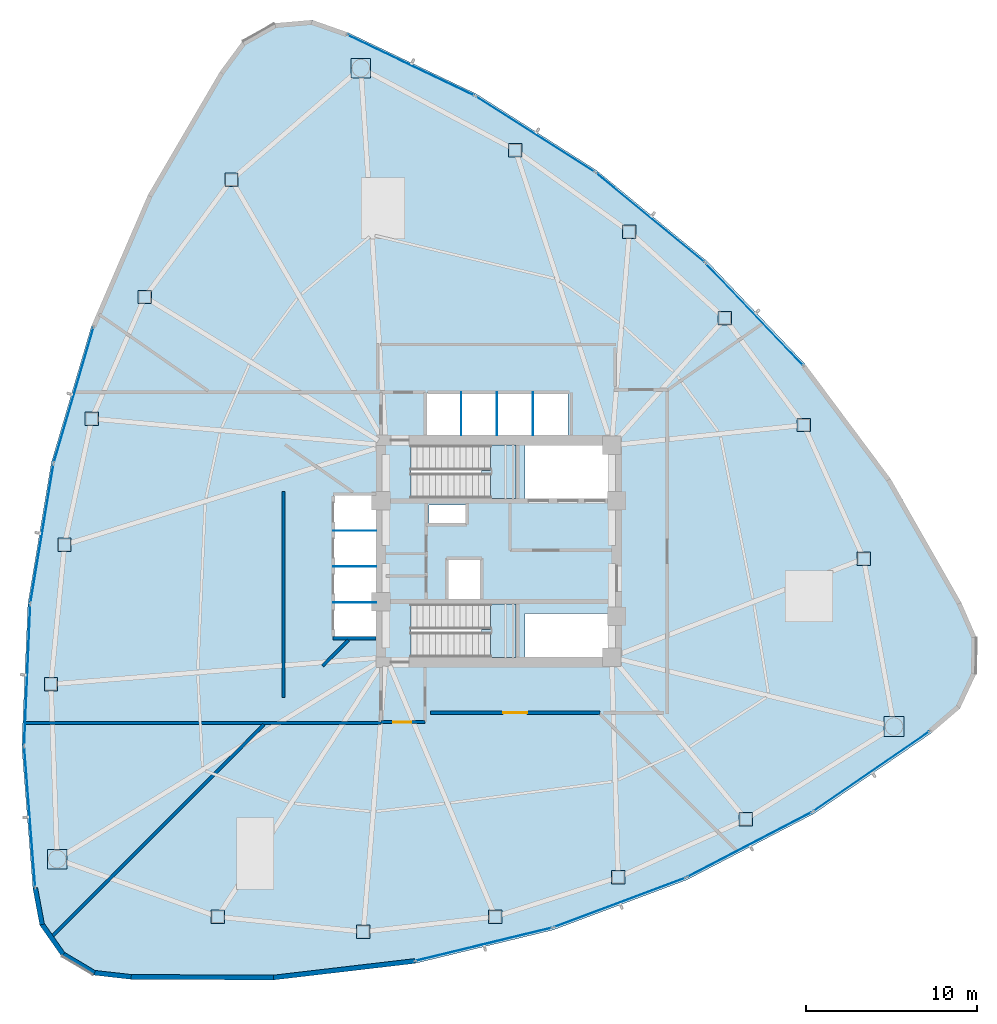
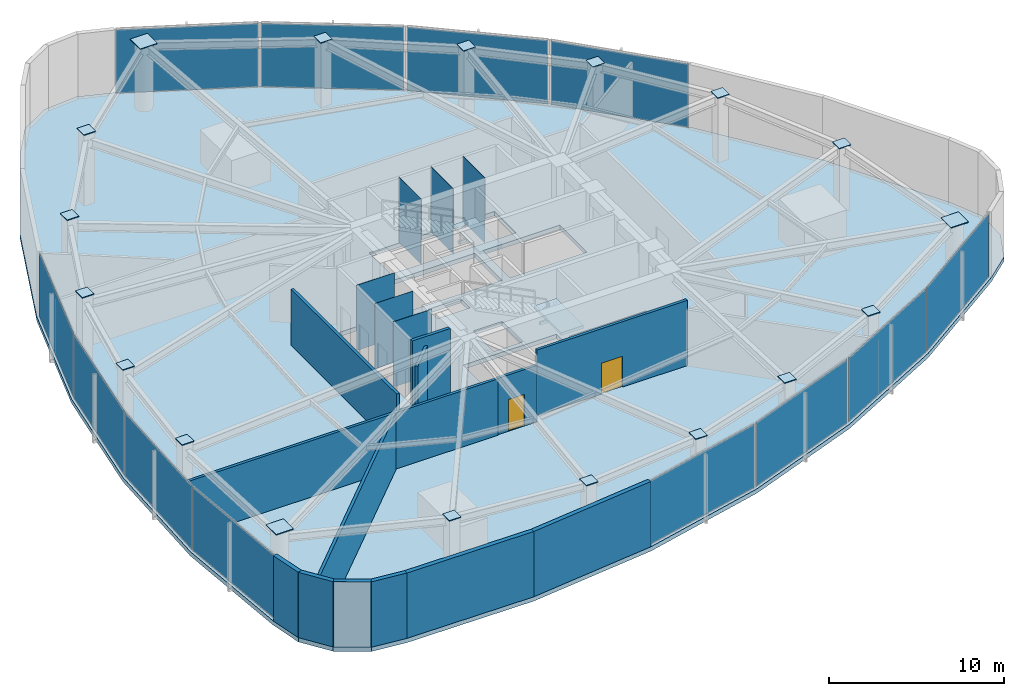
# One storey, part 10 of 16: 36 plates, 13 walls, 3 slabs, 2 doors, 2 openings, 14 elements without a shape of their own.
"""IFC4 building model written with IfcOpenShell, lengths in metres."""

from ifc_helpers import new_model, si_unit, direction, frame, frame_2d, origin, origin_2d, place, context, subcontext, project, spatial, polyline, rectangle, outline, extrude, source, transform, mapped, material, layer, layer_set, type_object, type_shapes, element, fill, aggregate, save


model = new_model("IFC4")

# Units and contexts
model_context = context("Model", 3, precision=1e-05, world=origin(), true_north=direction((0.0, 1.0)))
body_context = subcontext(model_context, "Body", "Model", "MODEL_VIEW")
ifc_project = project(units=[si_unit("LENGTHUNIT", "METRE"), si_unit("AREAUNIT", "SQUARE_METRE"), si_unit("VOLUMEUNIT", "CUBIC_METRE"), si_unit("PLANEANGLEUNIT", "RADIAN"), si_unit("MASSUNIT", "GRAM", prefix="KILO")], contexts=[model_context])

# Site, building, storey
site_placement = place(None, origin())
site = spatial("IfcSite", under=ifc_project, at=site_placement, CompositionType="ELEMENT")
building_placement = place(site_placement, origin())
building = spatial("IfcBuilding", under=site, at=building_placement, Name="Tavelor Broadcast Tower", CompositionType="ELEMENT")
storey_placement = place(building_placement, frame((0.0, 0.0, 97.800048828125)))
storey = spatial("IfcBuildingStorey", under=building, at=storey_placement, Name="L23", CompositionType="ELEMENT", Elevation=97.800048828125)

# Stair, slab
ifc_material_1 = material(Name="Concrete C40/50", Category="concrete")
stair_type = type_object("IfcStairType", Name="Reinforced Concrete Protected Dogleg Stair 1450 mm", PredefinedType="HALF_TURN_STAIR", material=ifc_material_1)
stair_1_placement = place(storey_placement, origin())
stair_1 = element("IfcStair", 1, at=stair_1_placement, inside=storey, type_object=stair_type, Name="L23 Protected Core Exit Stair ST1", PredefinedType="HALF_TURN_STAIR")
ifc_layer_1 = layer(ifc_material_1, 0.199951171875)
ifc_layer_set_1 = layer_set([ifc_layer_1], Name="Concrete C40/50")
slab_type_1 = type_object("IfcSlabType", Name="Reinforced Concrete Stair Half-Landing Slab 200 mm", PredefinedType="LANDING", material=ifc_layer_set_1)
slab_1_placement = place(storey_placement, frame((0.0, 0.0, 2.300048828125)))
slab_1 = element("IfcSlab", 2, at=slab_1_placement, type_object=slab_type_1, Name="ST1 landing 1", PredefinedType="LANDING", context=body_context, shape_type="SweptSolid", body=[
    extrude(outline(polyline([(49.52490234375, 49.590087890625), (49.52490234375, 48.094970703125), (51.0048828125, 48.094970703125), (51.0048828125, 51.205078125), (49.52490234375, 51.205078125), (49.52490234375, 49.7099609375), (48.985107421875, 49.7099609375), (48.985107421875, 49.590087890625), (49.52490234375, 49.590087890625)])), origin(), (0.0, 0.0, 1.0), 0.199951171875),
])
aggregate(stair_1, [slab_1])

stair_2_placement = place(storey_placement, origin())
stair_2 = element("IfcStair", 3, at=stair_2_placement, inside=storey, type_object=stair_type, Name="L23 Protected Core Exit Stair ST2", PredefinedType="HALF_TURN_STAIR")
slab_2_placement = place(storey_placement, frame((0.0, 0.0, 2.300048828125)))
slab_2 = element("IfcSlab", 4, at=slab_2_placement, type_object=slab_type_1, Name="ST2 landing 1", PredefinedType="LANDING", context=body_context, shape_type="SweptSolid", body=[
    extrude(outline(polyline([(49.52490234375, 40.2900390625), (49.52490234375, 38.794921875), (51.0048828125, 38.794921875), (51.0048828125, 41.905029296875), (49.52490234375, 41.905029296875), (49.52490234375, 40.409912109375), (48.985107421875, 40.409912109375), (48.985107421875, 40.2900390625), (49.52490234375, 40.2900390625)])), origin(), (0.0, 0.0, 1.0), 0.199951171875),
])
aggregate(stair_2, [slab_2])

# Slab
ifc_layer_2 = layer(ifc_material_1, 0.300048828125)
ifc_layer_set_2 = layer_set([ifc_layer_2], Name="Concrete C40/50")
slab_type_2 = type_object("IfcSlabType", Name="Tower Composite Floor Slab 300 mm", PredefinedType="FLOOR", material=ifc_layer_set_2)
slab_3_placement = place(storey_placement, frame((0.0, 0.0, -0.300048828125)))
element("IfcSlab", 5, at=slab_3_placement, inside=storey, type_object=slab_type_2, Name="L23 Structural Floor Slab", PredefinedType="FLOOR", context=body_context, shape_type="SweptSolid", body=[
    extrude(outline(polyline([(41.15087890625, 75.352783203125), (39.081787109375, 76.079345703125), (36.89697265625, 75.89013671875), (34.983642578125, 74.818603515625), (33.680908203125, 73.0546875), (29.472412109375, 65.84619140625), (26.16748046875, 58.181396484375), (23.814208984375, 50.1728515625), (22.447265625, 41.9384765625), (22.0869140625, 33.599365234375), (22.73828125, 25.277587890625), (23.143798828125, 23.12255859375), (24.39990234375, 21.3251953125), (26.28466796875, 20.203857421875), (28.463623046875, 19.95751953125), (36.810546875, 19.917236328125), (45.10107421875, 20.887451171875), (53.213134765625, 22.853515625), (61.027587890625, 25.787109375), (68.429931640625, 29.64453125), (75.310791015625, 34.36962890625), (76.974609375, 35.798095703125), (77.903076171875, 37.784912109375), (77.931884765625, 39.9775390625), (77.0556640625, 41.98779296875), (72.9169921875, 49.23681640625), (67.931640625, 55.931396484375), (62.1728515625, 61.973388671875), (55.72509765625, 67.2744140625), (48.68310546875, 71.756103515625), (41.15087890625, 75.352783203125)]), holes=[polyline([(56.60009765625, 38.800048828125), (51.52001953125, 38.800048828125), (51.52001953125, 41.35009765625), (56.60009765625, 41.35009765625), (56.60009765625, 38.800048828125)]), polyline([(50.99609375, 38.803955078125), (44.85400390625, 38.803955078125), (44.85400390625, 41.89599609375), (50.99609375, 41.89599609375), (50.99609375, 38.803955078125)]), polyline([(47.050048828125, 42.199951171875), (47.050048828125, 44.550048828125), (48.949951171875, 44.550048828125), (48.949951171875, 42.199951171875), (47.050048828125, 42.199951171875)]), polyline([(40.35009765625, 40.0), (40.35009765625, 48.25), (42.800048828125, 48.25), (42.800048828125, 40.0), (40.35009765625, 40.0)]), polyline([(48.050048828125, 46.64990234375), (45.89990234375, 46.64990234375), (45.89990234375, 47.699951171875), (48.050048828125, 47.699951171875), (48.050048828125, 46.64990234375)]), polyline([(50.99609375, 48.10400390625), (44.85400390625, 48.10400390625), (44.85400390625, 51.196044921875), (50.99609375, 51.196044921875), (50.99609375, 48.10400390625)]), polyline([(56.60009765625, 48.10009765625), (51.52001953125, 48.10009765625), (51.52001953125, 51.199951171875), (56.60009765625, 51.199951171875), (56.60009765625, 48.10009765625)]), polyline([(54.050048828125, 51.800048828125), (45.800048828125, 51.800048828125), (45.800048828125, 54.25), (54.050048828125, 54.25), (54.050048828125, 51.800048828125)])]), origin(), (0.0, 0.0, 1.0), 0.300048828125),
])

# Plates
ifc_material_2 = material(Name="Steel S460", Category="steel")
ifc_layer_3 = layer(ifc_material_2, 0.050048828125)
ifc_layer_set_3 = layer_set([ifc_layer_3], Name="Steel S460")
plate_type_1 = type_object("IfcPlateType", Name="Tube Hollow-End Cap Plate KN05 700x700x50", PredefinedType="USERDEFINED", material=ifc_layer_set_3)
shared_shape_1 = source(origin(), body_context, "Body", "SweptSolid", [
    extrude(rectangle(XDim=1.14697265625, YDim=1.14697265625, at=origin_2d()), origin(), (0.0, 0.0, 1.0), 0.054931640625),
])
for number, where, z_axis, x_axis, name in (
    (6, (41.923095703125, 73.266357421875, 4.5224609375), (0.0, 0.0, 1.0), (1.0, 0.0, 0.0), "L23 Hollow End Cap Plate KN05 #652"),
    (7, (24.1591796875, 26.98974609375, 4.97265625), (0.0, 0.0, 1.0), (1.0, 0.0, 0.0), "L23 Hollow End Cap Plate KN05 #658"),
    (8, (73.117919921875, 34.743896484375, 4.5224609375), (0.0, 0.0, 1.0), (1.0, 0.0, 0.0), "L23 Hollow End Cap Plate KN05 #664"),
):
    element("IfcPlate", number, at=place(storey_placement, frame(where, z_axis=z_axis, x_axis=x_axis)), inside=storey, type_object=plate_type_1, Name=name, ObjectType="CAP PLATE", PredefinedType="USERDEFINED", context=body_context, shape_type="MappedRepresentation", body=[
        mapped(shared_shape_1, transform((0.0, 0.0, 0.0), scale=1.0)),
    ])
shared_shape_2 = source(origin(), body_context, "Body", "SweptSolid", [
    extrude(rectangle(XDim=0.780029296875, YDim=0.780029296875, at=origin_2d()), origin(), (0.0, 0.0, 1.0), 0.054931640625),
])
type_shapes(plate_type_1, [shared_shape_1, shared_shape_2])
for number, where, z_axis, x_axis, name in (
    (9, (34.356201171875, 66.727783203125, 4.97265625), (0.0, 0.0, 1.0), (1.0, 0.0, 0.0), "L23 Hollow End Cap Plate KN05 #653"),
    (10, (29.292236328125, 59.87158203125, 4.97265625), (0.0, 0.0, 1.0), (1.0, 0.0, 0.0), "L23 Hollow End Cap Plate KN05 #654"),
    (11, (26.189208984375, 52.75830078125, 4.97265625), (0.0, 0.0, 1.0), (1.0, 0.0, 0.0), "L23 Hollow End Cap Plate KN05 #655"),
    (12, (24.58984375, 45.380615234375, 4.97265625), (0.0, 0.0, 1.0), (1.0, 0.0, 0.0), "L23 Hollow End Cap Plate KN05 #656"),
    (13, (23.794677734375, 37.21630859375, 4.97265625), (0.0, 0.0, 1.0), (1.0, 0.0, 0.0), "L23 Hollow End Cap Plate KN05 #657"),
    (14, (33.55078125, 23.615478515625, 4.5224609375), (0.0, 0.0, 1.0), (1.0, 0.0, 0.0), "L23 Hollow End Cap Plate KN05 #659"),
    (15, (42.0732421875, 22.740478515625, 4.5224609375), (0.0, 0.0, 1.0), (1.0, 0.0, 0.0), "L23 Hollow End Cap Plate KN05 #660"),
    (16, (49.78662109375, 23.617919921875, 4.5224609375), (0.0, 0.0, 1.0), (1.0, 0.0, 0.0), "L23 Hollow End Cap Plate KN05 #661"),
    (17, (56.975341796875, 25.92138671875, 4.5224609375), (0.0, 0.0, 1.0), (1.0, 0.0, 0.0), "L23 Hollow End Cap Plate KN05 #662"),
    (18, (64.443603515625, 29.31494140625, 4.5224609375), (0.0, 0.0, 1.0), (1.0, 0.0, 0.0), "L23 Hollow End Cap Plate KN05 #663"),
    (19, (71.343994140625, 44.564697265625, 4.5224609375), (0.0, 0.0, 1.0), (1.0, 0.0, 0.0), "L23 Hollow End Cap Plate KN05 #665"),
    (20, (67.8408203125, 52.382568359375, 4.5224609375), (0.0, 0.0, 1.0), (1.0, 0.0, 0.0), "L23 Hollow End Cap Plate KN05 #666"),
    (21, (63.22412109375, 58.623779296875, 4.5224609375), (0.0, 0.0, 1.0), (1.0, 0.0, 0.0), "L23 Hollow End Cap Plate KN05 #667"),
    (22, (57.634765625, 63.69775390625, 4.5224609375), (0.0, 0.0, 1.0), (1.0, 0.0, 0.0), "L23 Hollow End Cap Plate KN05 #668"),
    (23, (50.9619140625, 68.468505859375, 4.5224609375), (0.0, 0.0, 1.0), (1.0, 0.0, 0.0), "L23 Hollow End Cap Plate KN05 #669"),
):
    element("IfcPlate", number, at=place(storey_placement, frame(where, z_axis=z_axis, x_axis=x_axis)), inside=storey, type_object=plate_type_1, Name=name, ObjectType="CAP PLATE", PredefinedType="USERDEFINED", context=body_context, shape_type="MappedRepresentation", body=[
        mapped(shared_shape_2, transform((0.0, 0.0, 0.0), scale=1.0)),
    ])
ifc_material_3 = material(Name="Steel S355", Category="steel")
ifc_layer_4 = layer(ifc_material_3, 0.011962890625)
ifc_layer_set_4 = layer_set([ifc_layer_4], Name="Steel S355")
plate_type_2 = type_object("IfcPlateType", Name="Hoistway Steel Separator Screen 12 mm", PredefinedType="SHEET", material=ifc_layer_set_4)
shared_shape_3 = source(origin(), body_context, "Body", "SweptSolid", [
    extrude(rectangle(XDim=2.52001953125, YDim=0.02001953125, at=origin_2d()), origin(), (0.0, 0.0, 1.0), 4.550048828125),
])
for number, where, z_axis, x_axis, name in (
    (24, (41.56005859375, 42.0, 0.0), (0.0, 0.0, 1.0), (1.0, 0.0, 0.0), "L23 Low-Rise Hoistway Separator Screen 1"),
    (25, (41.56005859375, 44.10009765625, 0.0), (0.0, 0.0, 1.0), (1.0, 0.0, 0.0), "L23 Low-Rise Hoistway Separator Screen 2"),
    (26, (41.56005859375, 46.199951171875, 0.0), (0.0, 0.0, 1.0), (1.0, 0.0, 0.0), "L23 Low-Rise Hoistway Separator Screen 3"),
):
    element("IfcPlate", number, at=place(storey_placement, frame(where, z_axis=z_axis, x_axis=x_axis)), inside=storey, type_object=plate_type_2, Name=name, PredefinedType="SHEET", context=body_context, shape_type="MappedRepresentation", body=[
        mapped(shared_shape_3, transform((0.0, 0.0, 0.0), scale=1.0)),
    ])
shared_shape_4 = source(origin(), body_context, "Body", "SweptSolid", [
    extrude(rectangle(XDim=0.02001953125, YDim=2.52001953125, at=origin_2d()), origin(), (0.0, 0.0, 1.0), 4.550048828125),
])
type_shapes(plate_type_2, [shared_shape_3, shared_shape_4])
for number, where, z_axis, x_axis, name in (
    (27, (47.800048828125, 53.0400390625, 0.0), (0.0, 0.0, 1.0), (1.0, 0.0, 0.0), "L23 High-Rise Hoistway Separator Screen 1"),
    (28, (49.89990234375, 53.0400390625, 0.0), (0.0, 0.0, 1.0), (1.0, 0.0, 0.0), "L23 High-Rise Hoistway Separator Screen 2"),
    (29, (52.0, 53.0400390625, 0.0), (0.0, 0.0, 1.0), (1.0, 0.0, 0.0), "L23 High-Rise Hoistway Separator Screen 3"),
):
    element("IfcPlate", number, at=place(storey_placement, frame(where, z_axis=z_axis, x_axis=x_axis)), inside=storey, type_object=plate_type_2, Name=name, PredefinedType="SHEET", context=body_context, shape_type="MappedRepresentation", body=[
        mapped(shared_shape_4, transform((0.0, 0.0, 0.0), scale=1.0)),
    ])

# Curtain wall, plate
ifc_material_4 = material(Name="Architectural Anodized Aluminium", Category="aluminium")
ifc_layer_5 = layer(ifc_material_4, 0.179931640625)
ifc_layer_set_5 = layer_set([ifc_layer_5], Name="Architectural Anodized Aluminium")
curtain_wall_type = type_object("IfcCurtainWallType", Name="Tower Low-Zone Unitised Curtain Wall CW02", PredefinedType="NOTDEFINED", material=ifc_layer_set_5)
curtain_wall_1_placement = place(storey_placement, origin())
curtain_wall_1 = element("IfcCurtainWall", 30, at=curtain_wall_1_placement, inside=storey, type_object=curtain_wall_type, Name="L23 Curtain Wall CW02 Run 229", PredefinedType="NOTDEFINED")
ifc_material_5 = material(Name="Acoustic Double Glazing 28 mm", Category="glass")
ifc_layer_6 = layer(ifc_material_5, 0.028076171875)
ifc_layer_set_6 = layer_set([ifc_layer_6], Name="Acoustic Double Glazing 28 mm")
plate_type_3 = type_object("IfcPlateType", Name="CW02 Insulated Vision Glazing Panel 28 mm", PredefinedType="CURTAIN_PANEL", material=ifc_layer_set_6)
shared_shape_5 = source(origin(), body_context, "Body", "SweptSolid", [
    extrude(rectangle(XDim=8.18505859375, YDim=0.028076171875, at=origin_2d()), origin(), (0.0, 0.0, 1.0), 4.419921875),
])
plate_1_placement = place(storey_placement, frame((25.127197265625, 54.144775390625, 0.06494140625), z_axis=(0.0, 0.0, 1.0), x_axis=(-0.281935821858, -0.959433266232, 0.0)))
plate_1 = element("IfcPlate", 31, at=plate_1_placement, type_object=plate_type_3, Name="CW02 panel 1.1", PredefinedType="CURTAIN_PANEL", context=body_context, shape_type="MappedRepresentation", body=[
    mapped(shared_shape_5, transform((0.0, 0.0, 0.0), scale=1.0)),
])
aggregate(curtain_wall_1, [plate_1])

curtain_wall_2_placement = place(storey_placement, origin())
curtain_wall_2 = element("IfcCurtainWall", 32, at=curtain_wall_2_placement, inside=storey, type_object=curtain_wall_type, Name="L23 Curtain Wall CW02 Run 233", PredefinedType="NOTDEFINED")
plate_2_placement = place(storey_placement, frame((49.11669921875, 22.0048828125, 0.06494140625), z_axis=(0.0, 0.0, 1.0), x_axis=(0.971861953645, 0.235551147434, 0.0)))
plate_2 = element("IfcPlate", 33, at=plate_2_placement, type_object=plate_type_3, Name="CW02 panel 1.1", PredefinedType="CURTAIN_PANEL", context=body_context, shape_type="MappedRepresentation", body=[
    mapped(shared_shape_5, transform((0.0, 0.0, 0.0), scale=1.0)),
])
aggregate(curtain_wall_2, [plate_2])

curtain_wall_3_placement = place(storey_placement, origin())
curtain_wall_3 = element("IfcCurtainWall", 34, at=curtain_wall_3_placement, inside=storey, type_object=curtain_wall_type, Name="L23 Curtain Wall CW02 Run 237", PredefinedType="NOTDEFINED")
plate_3_placement = place(storey_placement, frame((64.9560546875, 58.850341796875, 0.06494140625), z_axis=(0.0, 0.0, 1.0), x_axis=(-0.689933803386, 0.723872465939, 0.0)))
plate_3 = element("IfcPlate", 35, at=plate_3_placement, type_object=plate_type_3, Name="CW02 panel 1.1", PredefinedType="CURTAIN_PANEL", context=body_context, shape_type="MappedRepresentation", body=[
    mapped(shared_shape_5, transform((0.0, 0.0, 0.0), scale=1.0)),
])
aggregate(curtain_wall_3, [plate_3])

curtain_wall_4_placement = place(storey_placement, origin())
curtain_wall_4 = element("IfcCurtainWall", 36, at=curtain_wall_4_placement, inside=storey, type_object=curtain_wall_type, Name="L23 Curtain Wall CW02 Run 230", PredefinedType="NOTDEFINED")
shared_shape_6 = source(origin(), body_context, "Body", "SweptSolid", [
    extrude(rectangle(XDim=8.169921875, YDim=0.028076171875, at=origin_2d()), origin(), (0.0, 0.0, 1.0), 4.419921875),
])
plate_4_placement = place(storey_placement, frame((23.268798828125, 46.03271484375, 0.06494140625), z_axis=(0.0, 0.0, 1.0), x_axis=(-0.163746397518, -0.986502466951, 0.0)))
plate_4 = element("IfcPlate", 37, at=plate_4_placement, type_object=plate_type_3, Name="CW02 panel 1.1", PredefinedType="CURTAIN_PANEL", context=body_context, shape_type="MappedRepresentation", body=[
    mapped(shared_shape_6, transform((0.0, 0.0, 0.0), scale=1.0)),
])
aggregate(curtain_wall_4, [plate_4])

curtain_wall_5_placement = place(storey_placement, origin())
curtain_wall_5 = element("IfcCurtainWall", 38, at=curtain_wall_5_placement, inside=storey, type_object=curtain_wall_type, Name="L23 Curtain Wall CW02 Run 231", PredefinedType="NOTDEFINED")
plate_5_placement = place(storey_placement, frame((22.406982421875, 37.762939453125, 0.06494140625), z_axis=(0.0, 0.0, 1.0), x_axis=(-0.043180506691, -0.999067286944, 0.0)))
plate_5 = element("IfcPlate", 39, at=plate_5_placement, type_object=plate_type_3, Name="CW02 panel 1.1", PredefinedType="CURTAIN_PANEL", context=body_context, shape_type="MappedRepresentation", body=[
    mapped(shared_shape_6, transform((0.0, 0.0, 0.0), scale=1.0)),
])
aggregate(curtain_wall_5, [plate_5])

curtain_wall_6_placement = place(storey_placement, origin())
curtain_wall_6 = element("IfcCurtainWall", 40, at=curtain_wall_6_placement, inside=storey, type_object=curtain_wall_type, Name="L23 Curtain Wall CW02 Run 239", PredefinedType="NOTDEFINED")
plate_6_placement = place(storey_placement, frame((52.12890625, 69.397216796875, 0.06494140625), z_axis=(0.0, 0.0, 1.0), x_axis=(-0.843627751075, 0.536928503263, 0.0)))
plate_6 = element("IfcPlate", 41, at=plate_6_placement, type_object=plate_type_3, Name="CW02 panel 1.1", PredefinedType="CURTAIN_PANEL", context=body_context, shape_type="MappedRepresentation", body=[
    mapped(shared_shape_6, transform((0.0, 0.0, 0.0), scale=1.0)),
])
aggregate(curtain_wall_6, [plate_6])

curtain_wall_7_placement = place(storey_placement, origin())
curtain_wall_7 = element("IfcCurtainWall", 42, at=curtain_wall_7_placement, inside=storey, type_object=curtain_wall_type, Name="L23 Curtain Wall CW02 Run 232", PredefinedType="NOTDEFINED")
shared_shape_7 = source(origin(), body_context, "Body", "SweptSolid", [
    extrude(rectangle(XDim=8.18603515625, YDim=0.028076171875, at=origin_2d()), origin(), (0.0, 0.0, 1.0), 4.419921875),
])
plate_7_placement = place(storey_placement, frame((22.552734375, 29.44140625, 0.06494140625), z_axis=(0.0, 0.0, 1.0), x_axis=(0.07805462215, -0.996949083936, 0.0)))
plate_7 = element("IfcPlate", 43, at=plate_7_placement, type_object=plate_type_3, Name="CW02 panel 1.1", PredefinedType="CURTAIN_PANEL", context=body_context, shape_type="MappedRepresentation", body=[
    mapped(shared_shape_7, transform((0.0, 0.0, 0.0), scale=1.0)),
])
aggregate(curtain_wall_7, [plate_7])

curtain_wall_8_placement = place(storey_placement, origin())
curtain_wall_8 = element("IfcCurtainWall", 44, at=curtain_wall_8_placement, inside=storey, type_object=curtain_wall_type, Name="L23 Curtain Wall CW02 Run 236", PredefinedType="NOTDEFINED")
plate_8_placement = place(storey_placement, frame((71.797607421875, 32.126953125, 0.06494140625), z_axis=(0.0, 0.0, 1.0), x_axis=(0.824357224308, 0.566069930955, 0.0)))
plate_8 = element("IfcPlate", 45, at=plate_8_placement, type_object=plate_type_3, Name="CW02 panel 1.1", PredefinedType="CURTAIN_PANEL", context=body_context, shape_type="MappedRepresentation", body=[
    mapped(shared_shape_7, transform((0.0, 0.0, 0.0), scale=1.0)),
])
aggregate(curtain_wall_8, [plate_8])

curtain_wall_9_placement = place(storey_placement, origin())
curtain_wall_9 = element("IfcCurtainWall", 46, at=curtain_wall_9_placement, inside=storey, type_object=curtain_wall_type, Name="L23 Curtain Wall CW02 Run 240", PredefinedType="NOTDEFINED")
plate_9_placement = place(storey_placement, frame((44.849609375, 73.431396484375, 0.06494140625), z_axis=(0.0, 0.0, 1.0), x_axis=(-0.902408358594, 0.430881833384, 0.0)))
plate_9 = element("IfcPlate", 47, at=plate_9_placement, type_object=plate_type_3, Name="CW02 panel 1.1", PredefinedType="CURTAIN_PANEL", context=body_context, shape_type="MappedRepresentation", body=[
    mapped(shared_shape_7, transform((0.0, 0.0, 0.0), scale=1.0)),
])
aggregate(curtain_wall_9, [plate_9])

curtain_wall_10_placement = place(storey_placement, origin())
curtain_wall_10 = element("IfcCurtainWall", 48, at=curtain_wall_10_placement, inside=storey, type_object=curtain_wall_type, Name="L23 Curtain Wall CW02 Run 234", PredefinedType="NOTDEFINED")
shared_shape_8 = source(origin(), body_context, "Body", "SweptSolid", [
    extrude(rectangle(XDim=8.170166015625, YDim=0.028076171875, at=origin_2d()), origin(), (0.0, 0.0, 1.0), 4.419921875),
])
type_shapes(plate_type_3, [shared_shape_5, shared_shape_6, shared_shape_7, shared_shape_8])
plate_10_placement = place(storey_placement, frame((57.0712890625, 24.451416015625, 0.06494140625), z_axis=(0.0, 0.0, 1.0), x_axis=(0.936209302266, 0.351442943235, 0.0)))
plate_10 = element("IfcPlate", 49, at=plate_10_placement, type_object=plate_type_3, Name="CW02 panel 1.1", PredefinedType="CURTAIN_PANEL", context=body_context, shape_type="MappedRepresentation", body=[
    mapped(shared_shape_8, transform((0.0, 0.0, 0.0), scale=1.0)),
])
aggregate(curtain_wall_10, [plate_10])

curtain_wall_11_placement = place(storey_placement, origin())
curtain_wall_11 = element("IfcCurtainWall", 50, at=curtain_wall_11_placement, inside=storey, type_object=curtain_wall_type, Name="L23 Curtain Wall CW02 Run 235", PredefinedType="NOTDEFINED")
plate_11_placement = place(storey_placement, frame((64.6640625, 27.840087890625, 0.06494140625), z_axis=(0.0, 0.0, 1.0), x_axis=(0.886807730272, 0.462138560964, 0.0)))
plate_11 = element("IfcPlate", 51, at=plate_11_placement, type_object=plate_type_3, Name="CW02 panel 1.1", PredefinedType="CURTAIN_PANEL", context=body_context, shape_type="MappedRepresentation", body=[
    mapped(shared_shape_8, transform((0.0, 0.0, 0.0), scale=1.0)),
])
aggregate(curtain_wall_11, [plate_11])

curtain_wall_12_placement = place(storey_placement, origin())
curtain_wall_12 = element("IfcCurtainWall", 52, at=curtain_wall_12_placement, inside=storey, type_object=curtain_wall_type, Name="L23 Curtain Wall CW02 Run 238", PredefinedType="NOTDEFINED")
plate_12_placement = place(storey_placement, frame((58.85986328125, 64.515869140625, 0.06494140625), z_axis=(0.0, 0.0, 1.0), x_axis=(-0.77246554429, 0.635056676908, 0.0)))
plate_12 = element("IfcPlate", 53, at=plate_12_placement, type_object=plate_type_3, Name="CW02 panel 1.1", PredefinedType="CURTAIN_PANEL", context=body_context, shape_type="MappedRepresentation", body=[
    mapped(shared_shape_8, transform((0.0, 0.0, 0.0), scale=1.0)),
])
aggregate(curtain_wall_12, [plate_12])

# Wall, opening, door
ifc_material_6 = material(Name="Calcium Silicate Fire Board 180 mm", Category="gypsum")
ifc_layer_7 = layer(ifc_material_6, 0.179931640625)
ifc_layer_set_7 = layer_set([ifc_layer_7], Name="Calcium Silicate Fire Board 180 mm")
wall_type_1 = type_object("IfcWallType", Name="Fire-Rated Corridor Partition Wall 180 mm", PredefinedType="PARTITIONING", material=ifc_layer_set_7)
wall_1_placement = place(storey_placement, frame((43.10009765625, 35.0, 0.0), z_axis=(0.0, 0.0, 1.0), x_axis=(1.0, 0.0, 0.0)))
wall_1 = element("IfcWall", 54, at=wall_1_placement, inside=storey, type_object=wall_type_1, Name="L23 Stair ST2 Lobby South Wall", PredefinedType="PARTITIONING", context=body_context, shape_type="SweptSolid", body=[
    extrude(rectangle(XDim=2.579833984375, YDim=0.179931640625, at=frame_2d((1.2900390625, 0.0))), origin(), (0.0, 0.0, 1.0), 3.925048828125),
])
opening_1_placement = place(wall_1_placement, frame((0.719970703125, 0.0, 0.0)))
opening_1 = element("IfcOpeningElement", 55, at=opening_1_placement, cuts=wall_1, Name="Opening DR11", PredefinedType="OPENING", context=body_context, shape_type="SweptSolid", body=[
    extrude(rectangle(XDim=1.050048828125, YDim=2.199951171875, at=frame_2d((0.52490234375, 1.10009765625))), frame((0.0, 0.10009765625, 0.0), z_axis=(0.0, -1.0, 0.0), x_axis=(1.0, 0.0, 0.0)), (0.0, 0.0, 1.0), 0.199951171875),
])
door_type_1 = type_object("IfcDoorType", Name="Stair Core Fire Escape Door 1050x2200", OperationType="NOTDEFINED", PredefinedType="DOOR", material=ifc_material_3)
door_1_placement = place(opening_1_placement, origin())
door_1 = element("IfcDoor", 56, at=door_1_placement, inside=storey, type_object=door_type_1, Name="L23 Stair ST2 Lobby Corridor Door", OperationType="SINGLE_SWING_RIGHT", OverallHeight=2.199951171875, OverallWidth=1.050048828125, PredefinedType="DOOR", context=body_context, shape_type="SweptSolid", body=[
    extrude(rectangle(XDim=1.050048828125, YDim=2.199951171875, at=frame_2d((0.52490234375, 1.10009765625))), frame((0.0, 0.02490234375, 0.0), z_axis=(0.0, -1.0, 0.0), x_axis=(1.0, 0.0, 0.0)), (0.0, 0.0, 1.0), 0.050048828125),
])
fill(opening_1, door_1)

# Walls
wall_2_placement = place(storey_placement, frame((22.285400390625, 34.949951171875, 0.0), z_axis=(0.0, 0.0, 1.0), x_axis=(1.0, 0.0, 0.0)))
element("IfcWall", 57, at=wall_2_placement, inside=storey, type_object=wall_type_1, Name="L23 Fire Refuge South EI120 Wall", PredefinedType="PARTITIONING", context=body_context, shape_type="SweptSolid", body=[
    extrude(rectangle(XDim=20.814697265625, YDim=0.179931640625, at=frame_2d((10.4072265625, 0.0))), origin(), (0.0, 0.0, 1.0), 3.925048828125),
])
wall_3_placement = place(storey_placement, frame((37.409912109375, 36.449951171875, 0.0), z_axis=(0.0, 0.0, 1.0), x_axis=(0.0, 1.0, 0.0)))
element("IfcWall", 58, at=wall_3_placement, inside=storey, type_object=wall_type_1, Name="L23 Fire Refuge Lift Lobby Separation Wall", PredefinedType="PARTITIONING", context=body_context, shape_type="SweptSolid", body=[
    extrude(rectangle(XDim=12.050048828125, YDim=0.179931640625, at=frame_2d((6.02490234375, 0.0))), origin(), (0.0, 0.0, 1.0), 3.925048828125),
])
wall_4_placement = place(storey_placement, frame((41.199951171875, 39.800048828125, 0.0), z_axis=(0.0, 0.0, 1.0), x_axis=(-0.707106781187, -0.707106781187, 0.0)))
element("IfcWall", 59, at=wall_4_placement, inside=storey, type_object=wall_type_1, Name="L23 Plant Quadrant Fire Wall", PredefinedType="PARTITIONING", context=body_context, shape_type="SweptSolid", body=[
    extrude(rectangle(XDim=2.135498046875, YDim=0.179931640625, at=frame_2d((1.06787109375, 0.0))), origin(), (0.0, 0.0, 1.0), 3.925048828125),
])
wall_5_placement = place(storey_placement, frame((36.260009765625, 34.860107421875, 0.0), z_axis=(0.0, 0.0, 1.0), x_axis=(-0.707106781187, -0.707106781187, 0.0)))
element("IfcWall", 60, at=wall_5_placement, inside=storey, type_object=wall_type_1, Name="L23 Plant Quadrant Fire Wall", PredefinedType="PARTITIONING", context=body_context, shape_type="SweptSolid", body=[
    extrude(rectangle(XDim=17.604736328125, YDim=0.179931640625, at=frame_2d((8.80224609375, 0.0))), origin(), (0.0, 0.0, 1.0), 3.925048828125),
])

# Wall, opening, door
wall_6_placement = place(storey_placement, frame((55.909912109375, 35.550048828125, 0.0), z_axis=(0.0, 0.0, 1.0), x_axis=(-1.0, 0.0, 0.0)))
wall_6 = element("IfcWall", 61, at=wall_6_placement, inside=storey, type_object=wall_type_1, Name="L23 Plant Corridor Fire Wall", PredefinedType="PARTITIONING", context=body_context, shape_type="SweptSolid", body=[
    extrude(rectangle(XDim=9.919921875, YDim=0.179931640625, at=frame_2d((4.9599609375, 0.0))), origin(), (0.0, 0.0, 1.0), 4.550048828125),
])
opening_2_placement = place(wall_6_placement, frame((4.260009765625, 0.0, 0.0)))
opening_2 = element("IfcOpeningElement", 62, at=opening_2_placement, cuts=wall_6, Name="Opening DR41", PredefinedType="OPENING", context=body_context, shape_type="SweptSolid", body=[
    extrude(rectangle(XDim=1.39990234375, YDim=2.14990234375, at=frame_2d((0.699951171875, 1.074951171875))), frame((0.0, 0.10009765625, 0.0), z_axis=(0.0, -1.0, 0.0), x_axis=(1.0, 0.0, 0.0)), (0.0, 0.0, 1.0), 0.199951171875),
])
door_type_2 = type_object("IfcDoorType", Name="Plant Room Double Fire Door 1400x2150", OperationType="NOTDEFINED", PredefinedType="DOOR", material=ifc_material_3)
door_2_placement = place(opening_2_placement, origin())
door_2 = element("IfcDoor", 63, at=door_2_placement, inside=storey, type_object=door_type_2, Name="L23 High-Zone Electrical Switchgear Plant Direct Corridor Door", OperationType="SINGLE_SWING_LEFT", OverallHeight=2.14990234375, OverallWidth=1.39990234375, PredefinedType="DOOR", context=body_context, shape_type="SweptSolid", body=[
    extrude(rectangle(XDim=1.39990234375, YDim=2.14990234375, at=frame_2d((0.699951171875, 1.074951171875))), frame((0.0, 0.02490234375, 0.0), z_axis=(0.0, -1.0, 0.0), x_axis=(1.0, 0.0, 0.0)), (0.0, 0.0, 1.0), 0.050048828125),
])
fill(opening_2, door_2)

# Walls
ifc_material_7 = material(Name="Precast Concrete C40/50", Category="concrete")
ifc_layer_8 = layer(ifc_material_7, 0.280029296875)
ifc_layer_set_8 = layer_set([ifc_layer_8], Name="Precast Concrete C40/50")
wall_type_2 = type_object("IfcWallType", Name="Insulated Precast Terracotta Facade Wall 280 mm", PredefinedType="STANDARD", material=ifc_layer_set_8)
wall_7_placement = place(storey_placement, frame((22.876708984375, 25.300048828125, 0.0), z_axis=(0.0, 0.0, 1.0), x_axis=(0.184830893435, -0.982770339821, 0.0)))
element("IfcWall", 64, at=wall_7_placement, inside=storey, type_object=wall_type_2, Name="L23 Rounded Corner Structural Cladding Pier 11", PredefinedType="STANDARD", context=body_context, shape_type="SweptSolid", body=[
    extrude(rectangle(XDim=2.174072265625, YDim=0.280029296875, at=frame_2d((1.0869140625, 0.0))), origin(), (0.0, 0.0, 1.0), 4.550048828125),
])
for number, where, z_axis, x_axis, name in (
    (65, (23.26708984375, 23.190185546875, 0.0), (0.0, 0.0, 1.0), (0.5729318545, -0.81960300762, 0.0), "L23 Rounded Corner Structural Cladding Pier 12"),
    (66, (24.484619140625, 21.437744140625, 0.0), (0.0, 0.0, 1.0), (0.859419261027, -0.511271487349, 0.0), "L23 Rounded Corner Structural Cladding Pier 13"),
):
    element("IfcWall", number, at=place(storey_placement, frame(where, z_axis=z_axis, x_axis=x_axis)), inside=storey, type_object=wall_type_2, Name=name, PredefinedType="STANDARD", context=body_context, shape_type="SweptSolid", body=[
        extrude(rectangle(XDim=2.16259765625, YDim=0.280029296875, at=frame_2d((1.081298828125, 0.0))), origin(), (0.0, 0.0, 1.0), 4.550048828125),
    ])
wall_8_placement = place(storey_placement, frame((26.3154296875, 20.34130859375, 0.0), z_axis=(0.0, 0.0, 1.0), x_axis=(0.993663802202, -0.112393274681, 0.0)))
element("IfcWall", 67, at=wall_8_placement, inside=storey, type_object=wall_type_2, Name="L23 Rounded Corner Structural Cladding Pier 14", PredefinedType="STANDARD", context=body_context, shape_type="SweptSolid", body=[
    extrude(rectangle(XDim=2.185302734375, YDim=0.280029296875, at=frame_2d((1.0927734375, 0.0))), origin(), (0.0, 0.0, 1.0), 4.550048828125),
])
wall_9_placement = place(storey_placement, frame((28.456787109375, 20.097412109375, 0.0), z_axis=(0.0, 0.0, 1.0), x_axis=(0.99998839325, -0.004818025021, 0.0)))
element("IfcWall", 68, at=wall_9_placement, inside=storey, type_object=wall_type_2, Name="L23 Rounded Corner Structural Cladding Pier 15", PredefinedType="STANDARD", context=body_context, shape_type="SweptSolid", body=[
    extrude(rectangle(XDim=8.36083984375, YDim=0.280029296875, at=frame_2d((4.180419921875, 0.0))), origin(), (0.0, 0.0, 1.0), 4.550048828125),
])
wall_10_placement = place(storey_placement, frame((36.787841796875, 20.055419921875, 0.0), z_axis=(0.0, 0.0, 1.0), x_axis=(0.993221677421, 0.116235534586, 0.0)))
element("IfcWall", 69, at=wall_10_placement, inside=storey, type_object=wall_type_2, Name="L23 Rounded Corner Structural Cladding Pier 16", PredefinedType="STANDARD", context=body_context, shape_type="SweptSolid", body=[
    extrude(rectangle(XDim=8.34912109375, YDim=0.280029296875, at=frame_2d((4.174560546875, 0.0))), origin(), (0.0, 0.0, 1.0), 4.550048828125),
])
ifc_material_8 = material(Name="Concrete Blockwork 200 mm", Category="masonry")
ifc_layer_9 = layer(ifc_material_8, 0.199951171875)
ifc_layer_set_9 = layer_set([ifc_layer_9], Name="Concrete Blockwork 200 mm")
wall_type_3 = type_object("IfcWallType", Name="Lift and Riser Shaft Enclosure Wall 200 mm", PredefinedType="PARTITIONING", material=ifc_layer_set_9)
wall_11_placement = place(storey_placement, frame((40.300048828125, 39.89990234375, 0.0), z_axis=(0.0, 0.0, 1.0), x_axis=(1.0, 0.0, 0.0)))
element("IfcWall", 70, at=wall_11_placement, inside=storey, type_object=wall_type_3, Name="L23 Low-Rise Lift Shaft South Wall", PredefinedType="PARTITIONING", context=body_context, shape_type="SweptSolid", body=[
    extrude(rectangle(XDim=2.5, YDim=0.199951171875, at=frame_2d((1.25, 0.0))), origin(), (0.0, 0.0, 1.0), 4.550048828125),
])

save(model, "model.ifc")
